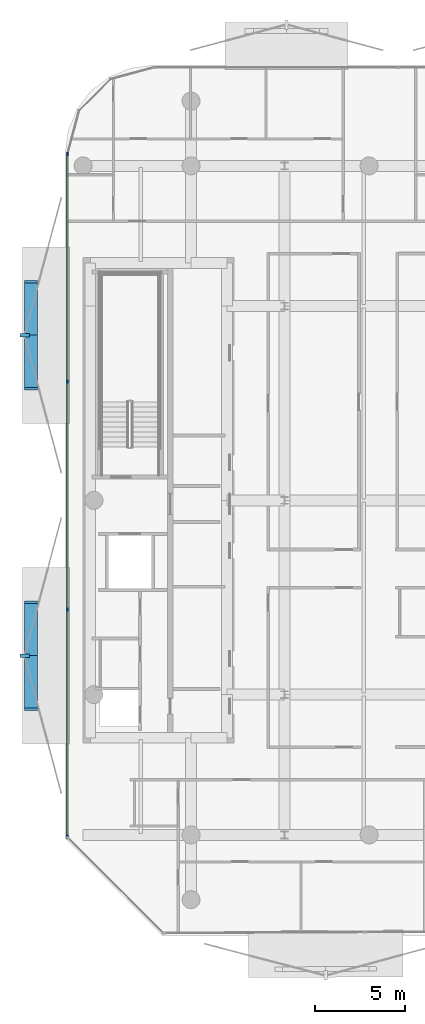
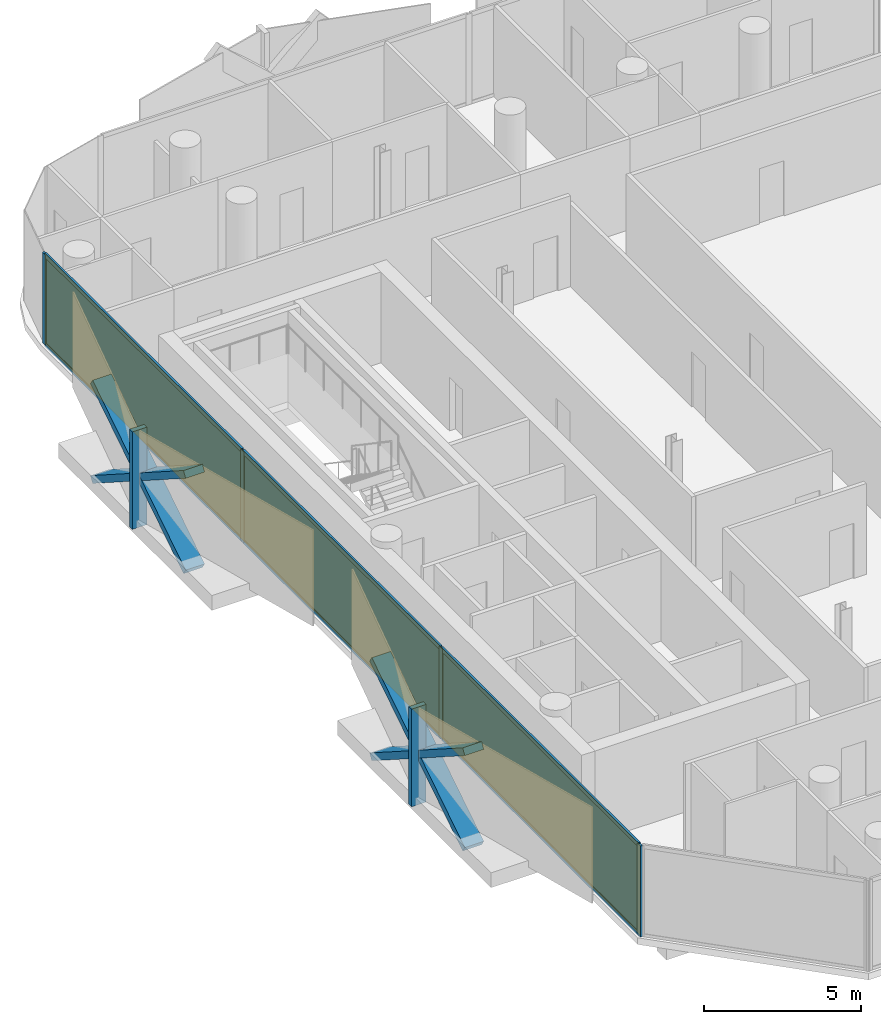
# One storey, part 10 of 16: 16 members, 3 plates, 1 curtain wall.
"""IFC4 building model written with IfcOpenShell, lengths in metres."""

from ifc_helpers import new_model, si_unit, direction, frame, frame_2d, origin, origin_2d, place, context, subcontext, project, spatial, rectangle, extrude, material, layer, layer_set, material_profile, profile_set, type_object, element, aggregate, save


model = new_model("IFC4")

# Units and contexts
model_context = context("Model", 3, precision=1e-05, world=origin(), true_north=direction((0.0, 1.0)))
body_context = subcontext(model_context, "Body", "Model", "MODEL_VIEW")
ifc_project = project(units=[si_unit("LENGTHUNIT", "METRE"), si_unit("AREAUNIT", "SQUARE_METRE"), si_unit("VOLUMEUNIT", "CUBIC_METRE"), si_unit("PLANEANGLEUNIT", "RADIAN"), si_unit("MASSUNIT", "GRAM", prefix="KILO")], contexts=[model_context])

# Member
ifc_material_1 = material(Name="Anodised Bronze Aluminium 6063-T6", Category="aluminium")
ifc_material_profile_1 = material_profile(ifc_material_1, rectangle(XDim=0.260009765625, YDim=0.699951171875, at=origin_2d()))
ifc_profile_set_1 = profile_set([ifc_material_profile_1], Name="Anodised Bronze Aluminium 6063-T6")
member_type_1 = type_object("IfcMemberType", Name="Bronze Diamond Solar-Screen Lattice Rib BDL-700", PredefinedType="MULLION", material=ifc_profile_set_1)
site_placement = place(None, origin())
building_placement = place(site_placement, origin())
storey_placement = place(building_placement, frame((0.0, 0.0, 281.39990234375)))
member_1_placement = place(storey_placement, frame((-23.300048828125, -11.603271484375, -0.1298828125), z_axis=(0.0, 0.842328622302, 0.538964277157), x_axis=(0.0, -0.538964277157, 0.842328622302)))
member_1 = element("IfcMember", 1, at=member_1_placement, type_object=member_type_1, Name="L67 Bronze Diamond Solar Screen Lattice Rib 464A", PredefinedType="MULLION", context=body_context, shape_type="SweptSolid", body=[
    extrude(rectangle(XDim=0.260009765625, YDim=0.699951171875, at=origin_2d()), origin(), (0.0, 0.0, 1.0), 7.050537109375),
])

member_2_placement = place(storey_placement, frame((-23.300048828125, -5.664306640625, -0.1298828125), z_axis=(0.0, -0.842328622302, 0.538964277157), x_axis=(0.0, 0.538964277157, 0.842328622302)))
member_2 = element("IfcMember", 2, at=member_2_placement, type_object=member_type_1, Name="L67 Bronze Diamond Solar Screen Lattice Rib 464B", PredefinedType="MULLION", context=body_context, shape_type="SweptSolid", body=[
    extrude(rectangle(XDim=0.260009765625, YDim=0.699951171875, at=origin_2d()), origin(), (0.0, 0.0, 1.0), 7.050537109375),
])

member_3_placement = place(storey_placement, frame((-23.300048828125, 6.213134765625, -0.1298828125), z_axis=(0.0, 0.842328622302, 0.538964277157), x_axis=(0.0, -0.538964277157, 0.842328622302)))
member_3 = element("IfcMember", 3, at=member_3_placement, type_object=member_type_1, Name="L67 Bronze Diamond Solar Screen Lattice Rib 465A", PredefinedType="MULLION", context=body_context, shape_type="SweptSolid", body=[
    extrude(rectangle(XDim=0.260009765625, YDim=0.699951171875, at=origin_2d()), origin(), (0.0, 0.0, 1.0), 7.050537109375),
])

member_4_placement = place(storey_placement, frame((-23.300048828125, 12.152099609375, -0.1298828125), z_axis=(0.0, -0.842328622302, 0.538964277157), x_axis=(0.0, 0.538964277157, 0.842328622302)))
member_4 = element("IfcMember", 4, at=member_4_placement, type_object=member_type_1, Name="L67 Bronze Diamond Solar Screen Lattice Rib 465B", PredefinedType="MULLION", context=body_context, shape_type="SweptSolid", body=[
    extrude(rectangle(XDim=0.260009765625, YDim=0.699951171875, at=origin_2d()), origin(), (0.0, 0.0, 1.0), 7.050537109375),
])

ifc_material_2 = material(Name="Anodised Bronze Aluminium 6063-T6", Category="aluminium")
ifc_material_profile_2 = material_profile(ifc_material_2, rectangle(XDim=0.179931640625, YDim=0.5400390625, at=origin_2d()))
ifc_profile_set_2 = profile_set([ifc_material_profile_2], Name="Anodised Bronze Aluminium 6063-T6")
member_type_2 = type_object("IfcMemberType", Name="Bronze Solar-Screen Vertical Fold Fin BSF-540", PredefinedType="MULLION", material=ifc_profile_set_2)
member_5_placement = place(storey_placement, frame((-23.639892578125, -8.6337890625, -0.1298828125), z_axis=(0.0, 0.0, 1.0), x_axis=(0.0, 1.0, 0.0)))
member_5 = element("IfcMember", 5, at=member_5_placement, type_object=member_type_2, Name="L67 Bronze Solar Screen Vertical Fin 464", PredefinedType="MULLION", context=body_context, shape_type="SweptSolid", body=[
    extrude(rectangle(XDim=0.179931640625, YDim=0.5400390625, at=origin_2d()), origin(), (0.0, 0.0, 1.0), 3.800048828125),
])

member_6_placement = place(storey_placement, frame((-23.639892578125, 9.1826171875, -0.1298828125), z_axis=(0.0, 0.0, 1.0), x_axis=(0.0, 1.0, 0.0)))
member_6 = element("IfcMember", 6, at=member_6_placement, type_object=member_type_2, Name="L67 Bronze Solar Screen Vertical Fin 465", PredefinedType="MULLION", context=body_context, shape_type="SweptSolid", body=[
    extrude(rectangle(XDim=0.179931640625, YDim=0.5400390625, at=origin_2d()), origin(), (0.0, 0.0, 1.0), 3.800048828125),
])

ifc_material_3 = material(Name="Anodised Bronze Aluminium 6063-T6", Category="aluminium")
ifc_material_profile_3 = material_profile(ifc_material_3, rectangle(XDim=0.074951171875, YDim=0.2099609375, at=origin_2d()))
ifc_profile_set_3 = profile_set([ifc_material_profile_3], Name="Anodised Bronze Aluminium 6063-T6")
member_type_3 = type_object("IfcMemberType", Name="CW-CRN Mullion 75x210", PredefinedType="MULLION", material=ifc_profile_set_3)
member_7_placement = place(storey_placement, frame((-21.260009765625, -18.70458984375, 0.0), z_axis=(0.0, 0.0, 1.0), x_axis=(-1.0, 0.0, 0.0)))
member_7 = element("IfcMember", 7, at=member_7_placement, type_object=member_type_3, Name="CW-CRN mullion 1", PredefinedType="MULLION", context=body_context, shape_type="SweptSolid", body=[
    extrude(rectangle(XDim=0.074951171875, YDim=0.2099609375, at=origin_2d()), origin(), (0.0, 0.0, 1.0), 3.5400390625),
])

member_8_placement = place(storey_placement, frame((-21.260009765625, -6.064453125, 0.0), z_axis=(0.0, 0.0, 1.0), x_axis=(-1.0, 0.0, 0.0)))
member_8 = element("IfcMember", 8, at=member_8_placement, type_object=member_type_3, Name="CW-CRN mullion 2", PredefinedType="MULLION", context=body_context, shape_type="SweptSolid", body=[
    extrude(rectangle(XDim=0.074951171875, YDim=0.2099609375, at=origin_2d()), origin(), (0.0, 0.0, 1.0), 3.5400390625),
])

member_9_placement = place(storey_placement, frame((-21.260009765625, 6.61328125, 0.0), z_axis=(0.0, 0.0, 1.0), x_axis=(-1.0, 0.0, 0.0)))
member_9 = element("IfcMember", 9, at=member_9_placement, type_object=member_type_3, Name="CW-CRN mullion 3", PredefinedType="MULLION", context=body_context, shape_type="SweptSolid", body=[
    extrude(rectangle(XDim=0.074951171875, YDim=0.2099609375, at=origin_2d()), origin(), (0.0, 0.0, 1.0), 3.5400390625),
])

member_10_placement = place(storey_placement, frame((-21.260009765625, 19.25341796875, 0.0), z_axis=(0.0, 0.0, 1.0), x_axis=(-1.0, 0.0, 0.0)))
member_10 = element("IfcMember", 10, at=member_10_placement, type_object=member_type_3, Name="CW-CRN mullion 4", PredefinedType="MULLION", context=body_context, shape_type="SweptSolid", body=[
    extrude(rectangle(XDim=0.074951171875, YDim=0.2099609375, at=origin_2d()), origin(), (0.0, 0.0, 1.0), 3.5400390625),
])

ifc_material_4 = material(Name="Anodised Bronze Aluminium 6063-T6", Category="aluminium")
ifc_material_profile_4 = material_profile(ifc_material_4, rectangle(XDim=0.074951171875, YDim=0.1650390625, at=origin_2d()))
ifc_profile_set_4 = profile_set([ifc_material_profile_4], Name="Anodised Bronze Aluminium 6063-T6")
member_type_4 = type_object("IfcMemberType", Name="CW-CRN Transom 75x165", PredefinedType="USERDEFINED", material=ifc_profile_set_4)
member_11_placement = place(storey_placement, frame((-21.260009765625, -18.6669921875, 0.03759765625), z_axis=(0.0, 1.0, 0.0), x_axis=(-1.0, 0.0, 0.0)))
member_11 = element("IfcMember", 11, at=member_11_placement, type_object=member_type_4, Name="CW-CRN transom 1.1", ObjectType="TRANSOM", PredefinedType="USERDEFINED", context=body_context, shape_type="SweptSolid", body=[
    extrude(rectangle(XDim=0.074951171875, YDim=0.1650390625, at=origin_2d()), origin(), (0.0, 0.0, 1.0), 12.565185546875),
])

member_12_placement = place(storey_placement, frame((-21.260009765625, -18.6669921875, 3.502685546875), z_axis=(0.0, 1.0, 0.0), x_axis=(-1.0, 0.0, 0.0)))
member_12 = element("IfcMember", 12, at=member_12_placement, type_object=member_type_4, Name="CW-CRN transom 1.2", ObjectType="TRANSOM", PredefinedType="USERDEFINED", context=body_context, shape_type="SweptSolid", body=[
    extrude(rectangle(XDim=0.074951171875, YDim=0.1650390625, at=origin_2d()), origin(), (0.0, 0.0, 1.0), 12.565185546875),
])

member_13_placement = place(storey_placement, frame((-21.260009765625, -6.02685546875, 0.03759765625), z_axis=(0.0, 1.0, 0.0), x_axis=(-1.0, 0.0, 0.0)))
member_13 = element("IfcMember", 13, at=member_13_placement, type_object=member_type_4, Name="CW-CRN transom 2.1", ObjectType="TRANSOM", PredefinedType="USERDEFINED", context=body_context, shape_type="SweptSolid", body=[
    extrude(rectangle(XDim=0.074951171875, YDim=0.1650390625, at=origin_2d()), origin(), (0.0, 0.0, 1.0), 12.6025390625),
])

member_14_placement = place(storey_placement, frame((-21.260009765625, -6.02685546875, 3.502685546875), z_axis=(0.0, 1.0, 0.0), x_axis=(-1.0, 0.0, 0.0)))
member_14 = element("IfcMember", 14, at=member_14_placement, type_object=member_type_4, Name="CW-CRN transom 2.2", ObjectType="TRANSOM", PredefinedType="USERDEFINED", context=body_context, shape_type="SweptSolid", body=[
    extrude(rectangle(XDim=0.074951171875, YDim=0.1650390625, at=origin_2d()), origin(), (0.0, 0.0, 1.0), 12.6025390625),
])

member_15_placement = place(storey_placement, frame((-21.260009765625, 6.650634765625, 0.03759765625), z_axis=(0.0, 1.0, 0.0), x_axis=(-1.0, 0.0, 0.0)))
member_15 = element("IfcMember", 15, at=member_15_placement, type_object=member_type_4, Name="CW-CRN transom 3.1", ObjectType="TRANSOM", PredefinedType="USERDEFINED", context=body_context, shape_type="SweptSolid", body=[
    extrude(rectangle(XDim=0.074951171875, YDim=0.1650390625, at=origin_2d()), origin(), (0.0, 0.0, 1.0), 12.565185546875),
])

member_16_placement = place(storey_placement, frame((-21.260009765625, 6.650634765625, 3.502685546875), z_axis=(0.0, 1.0, 0.0), x_axis=(-1.0, 0.0, 0.0)))
member_16 = element("IfcMember", 16, at=member_16_placement, type_object=member_type_4, Name="CW-CRN transom 3.2", ObjectType="TRANSOM", PredefinedType="USERDEFINED", context=body_context, shape_type="SweptSolid", body=[
    extrude(rectangle(XDim=0.074951171875, YDim=0.1650390625, at=origin_2d()), origin(), (0.0, 0.0, 1.0), 12.565185546875),
])

# Plate
ifc_material_5 = material(Name="Low-E Solar Control Laminated Glass", Category="glass")
ifc_layer_1 = layer(ifc_material_5, 0.035888671875, Name="Low-E Solar Control Laminated Glass")
ifc_layer_set_1 = layer_set([ifc_layer_1], Name="Low-E Solar Control Laminated Glass")
plate_type = type_object("IfcPlateType", Name="CW-CRN Low-E Double Glazed Panel 36mm", PredefinedType="CURTAIN_PANEL", material=ifc_layer_set_1)
plate_1_placement = place(storey_placement, frame((-21.260009765625, -12.384521484375, 0.0751953125), z_axis=(0.0, 0.0, 1.0), x_axis=(0.0, 1.0, 0.0)))
plate_1 = element("IfcPlate", 17, at=plate_1_placement, type_object=plate_type, Name="CW-CRN panel 1.1", PredefinedType="CURTAIN_PANEL", context=body_context, shape_type="SweptSolid", body=[
    extrude(rectangle(XDim=12.565185546875, YDim=0.035888671875, at=origin_2d()), origin(), (0.0, 0.0, 1.0), 3.389892578125),
])

plate_2_placement = place(storey_placement, frame((-21.260009765625, 0.2744140625, 0.0751953125), z_axis=(0.0, 0.0, 1.0), x_axis=(0.0, 1.0, 0.0)))
plate_2 = element("IfcPlate", 18, at=plate_2_placement, type_object=plate_type, Name="CW-CRN panel 2.1", PredefinedType="CURTAIN_PANEL", context=body_context, shape_type="SweptSolid", body=[
    extrude(rectangle(XDim=12.6025390625, YDim=0.035888671875, at=origin_2d()), origin(), (0.0, 0.0, 1.0), 3.389892578125),
])

plate_3_placement = place(storey_placement, frame((-21.260009765625, 12.933349609375, 0.0751953125), z_axis=(0.0, 0.0, 1.0), x_axis=(0.0, 1.0, 0.0)))
plate_3 = element("IfcPlate", 19, at=plate_3_placement, type_object=plate_type, Name="CW-CRN panel 3.1", PredefinedType="CURTAIN_PANEL", context=body_context, shape_type="SweptSolid", body=[
    extrude(rectangle(XDim=12.565185546875, YDim=0.035888671875, at=origin_2d()), origin(), (0.0, 0.0, 1.0), 3.389892578125),
])

# Site, building, storey
site = spatial("IfcSite", under=ifc_project, at=site_placement, CompositionType="ELEMENT")
building = spatial("IfcBuilding", under=site, at=building_placement, Name="Khairoan Windgate Tower", CompositionType="ELEMENT")
storey = spatial("IfcBuildingStorey", under=building, at=storey_placement, Name="L67", CompositionType="ELEMENT", Elevation=281.39990234375)

# Curtain wall
ifc_material_6 = material(Name="Anodised Bronze Aluminium 6063-T6", Category="aluminium")
ifc_layer_2 = layer(ifc_material_6, 0.2099609375, Name="Anodised Bronze Aluminium 6063-T6")
ifc_layer_set_2 = layer_set([ifc_layer_2], Name="Anodised Bronze Aluminium 6063-T6")
curtain_wall_type = type_object("IfcCurtainWallType", Name="Crown Observation and Vitrine Curtain Wall CW-CRN", PredefinedType="NOTDEFINED", material=ifc_layer_set_2)
curtain_wall_placement = place(storey_placement, frame((-21.260009765625, -18.741943359375, 0.0), z_axis=(0.0, 0.0, 1.0), x_axis=(0.0, 1.0, 0.0)))
curtain_wall = element("IfcCurtainWall", 20, at=curtain_wall_placement, inside=storey, type_object=curtain_wall_type, Name="L67 Unitised Curtain Wall 3", PredefinedType="NOTDEFINED", context=body_context, shape_type="SweptSolid", body=[
    extrude(rectangle(XDim=38.03271484375, YDim=0.010009765625, at=frame_2d((19.016357421875, 0.0))), origin(), (0.0, 0.0, 1.0), 3.5400390625),
])

aggregate(curtain_wall, [member_7, member_8, member_9, member_10, member_11, member_12, plate_1, member_13, member_14, plate_2, member_15, member_16, plate_3, member_1, member_2, member_5, member_3, member_4, member_6])

save(model, "model.ifc")
